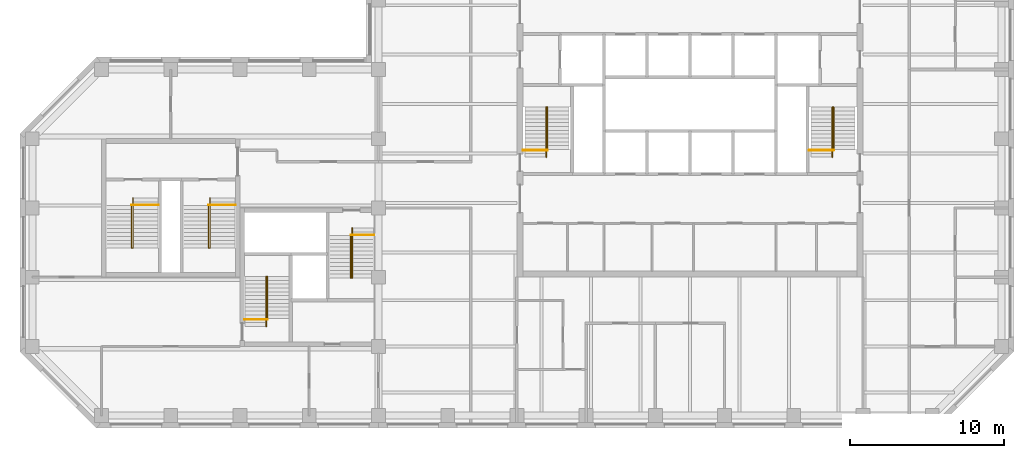
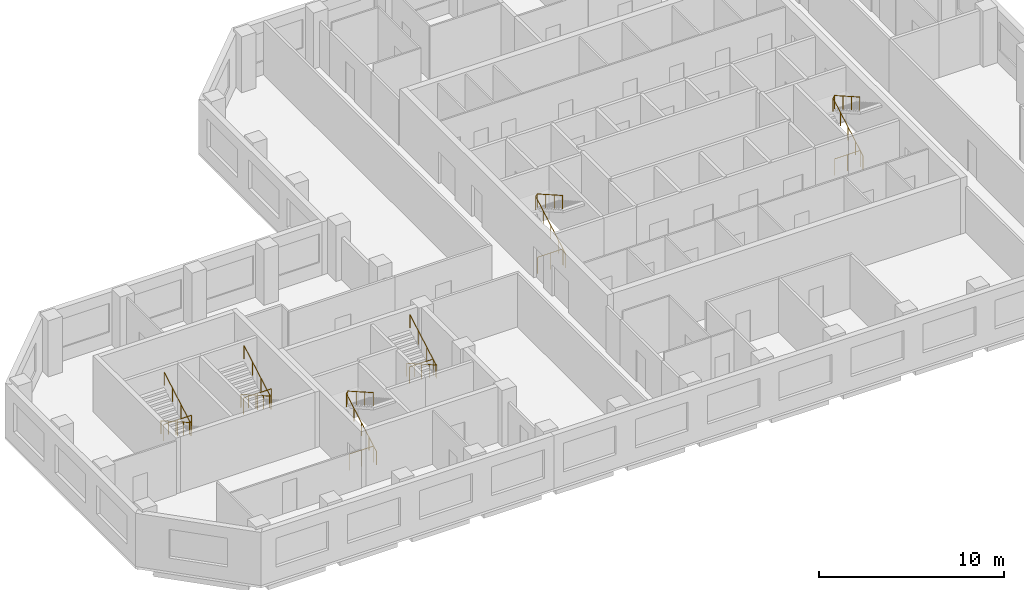
# One storey, part 9 of 9: 12 railings.
"""IFC4 building model written with IfcOpenShell, lengths in metres."""

from ifc_helpers import new_model, si_unit, direction, frame, origin, origin_2d, place, context, subcontext, project, spatial, circle, extrude, material, type_object, element, save


model = new_model("IFC4")

# Units and contexts
model_context = context("Model", 3, precision=1e-05, world=origin(), true_north=direction((0.0, 1.0)))
body_context = subcontext(model_context, "Body", "Model", "MODEL_VIEW")
ifc_project = project(units=[si_unit("LENGTHUNIT", "METRE"), si_unit("AREAUNIT", "SQUARE_METRE"), si_unit("VOLUMEUNIT", "CUBIC_METRE"), si_unit("PLANEANGLEUNIT", "RADIAN"), si_unit("MASSUNIT", "GRAM", prefix="KILO")], contexts=[model_context])

# Site, building, storey
site_placement = place(None, origin())
site = spatial("IfcSite", under=ifc_project, at=site_placement, CompositionType="ELEMENT")
building_placement = place(site_placement, origin())
building = spatial("IfcBuilding", under=site, at=building_placement, Name="Quoin Convention Tower", CompositionType="ELEMENT")
storey_placement = place(building_placement, frame((0.0, 0.0, 252.60009765625)))
storey = spatial("IfcBuildingStorey", under=building, at=storey_placement, Name="L66", CompositionType="ELEMENT", Elevation=252.60009765625)

# Railings
ifc_material = material(Name="Stainless steel", Category="steel")
railing_type_1 = type_object("IfcRailingType", Name="Stair handrail 900", PredefinedType="HANDRAIL", material=ifc_material)
railing_1_placement = place(storey_placement, frame((46.905029296875, 57.300048828125, 0.14208984375)))
element("IfcRailing", 1, at=railing_1_placement, inside=storey, type_object=railing_type_1, Name="SD1 handrail 1", PredefinedType="HANDRAIL", context=body_context, shape_type="SweptSolid", body=[
    extrude(circle(Radius=0.02392578125, at=origin_2d()), frame((0.0, 0.0, 0.8759765625), z_axis=(0.0, 0.869053504361, 0.494718108177), x_axis=(-1.0, 0.0, 0.0)), (0.0, 0.0, 1.0), 3.73974609375),
    extrude(circle(Radius=0.02392578125, at=origin_2d()), frame((0.0, 3.25, 2.72607421875), z_axis=(0.53481069233, 0.0, 0.844971906852), x_axis=(0.0, 1.0, 0.0)), (0.0, 0.0, 1.0), 0.16845703125),
    extrude(circle(Radius=0.02392578125, at=origin_2d()), frame((0.090087890625, 3.25, 2.8681640625), z_axis=(0.0, -0.869058607571, 0.494709143443), x_axis=(1.0, 0.0, 0.0)), (0.0, 0.0, 1.0), 3.164306640625),
    extrude(circle(Radius=0.02099609375, at=origin_2d()), origin(), (0.0, 0.0, 1.0), 0.851806640625),
    extrude(circle(Radius=0.02099609375, at=origin_2d()), frame((0.0, 0.8125, 0.46240234375)), (0.0, 0.0, 1.0), 0.851806640625),
    extrude(circle(Radius=0.02099609375, at=origin_2d()), frame((0.0, 1.625, 0.925048828125)), (0.0, 0.0, 1.0), 0.851806640625),
    extrude(circle(Radius=0.02099609375, at=origin_2d()), frame((0.0, 2.4375, 1.3876953125)), (0.0, 0.0, 1.0), 0.851806640625),
    extrude(circle(Radius=0.02099609375, at=origin_2d()), frame((0.0, 3.25, 1.85009765625)), (0.0, 0.0, 1.0), 0.851806640625),
    extrude(circle(Radius=0.02099609375, at=origin_2d()), frame((0.090087890625, 3.25, 1.992431640625)), (0.0, 0.0, 1.0), 0.851806640625),
    extrude(circle(Radius=0.02099609375, at=origin_2d()), frame((0.090087890625, 2.333251953125, 2.51416015625)), (0.0, 0.0, 1.0), 0.851806640625),
    extrude(circle(Radius=0.02099609375, at=origin_2d()), frame((0.090087890625, 1.416748046875, 3.0361328125)), (0.0, 0.0, 1.0), 0.851806640625),
    extrude(circle(Radius=0.02099609375, at=origin_2d()), frame((0.090087890625, 0.5, 3.557861328125)), (0.0, 0.0, 1.0), 0.851806640625),
])
railing_2_placement = place(storey_placement, frame((65.5048828125, 57.300048828125, 0.14208984375)))
element("IfcRailing", 2, at=railing_2_placement, inside=storey, type_object=railing_type_1, Name="SD2 handrail 1", PredefinedType="HANDRAIL", context=body_context, shape_type="SweptSolid", body=[
    extrude(circle(Radius=0.02392578125, at=origin_2d()), frame((0.0, 0.0, 0.8759765625), z_axis=(0.0, 0.869053504361, 0.494718108177), x_axis=(-1.0, 0.0, 0.0)), (0.0, 0.0, 1.0), 3.73974609375),
    extrude(circle(Radius=0.02392578125, at=origin_2d()), frame((0.0, 3.25, 2.72607421875), z_axis=(0.53481069233, 0.0, 0.844971906852), x_axis=(0.0, 1.0, 0.0)), (0.0, 0.0, 1.0), 0.16845703125),
    extrude(circle(Radius=0.02392578125, at=origin_2d()), frame((0.090087890625, 3.25, 2.8681640625), z_axis=(0.0, -0.869058607571, 0.494709143443), x_axis=(1.0, 0.0, 0.0)), (0.0, 0.0, 1.0), 3.164306640625),
    extrude(circle(Radius=0.02099609375, at=origin_2d()), origin(), (0.0, 0.0, 1.0), 0.851806640625),
    extrude(circle(Radius=0.02099609375, at=origin_2d()), frame((0.0, 0.8125, 0.46240234375)), (0.0, 0.0, 1.0), 0.851806640625),
    extrude(circle(Radius=0.02099609375, at=origin_2d()), frame((0.0, 1.625, 0.925048828125)), (0.0, 0.0, 1.0), 0.851806640625),
    extrude(circle(Radius=0.02099609375, at=origin_2d()), frame((0.0, 2.4375, 1.3876953125)), (0.0, 0.0, 1.0), 0.851806640625),
    extrude(circle(Radius=0.02099609375, at=origin_2d()), frame((0.0, 3.25, 1.85009765625)), (0.0, 0.0, 1.0), 0.851806640625),
    extrude(circle(Radius=0.02099609375, at=origin_2d()), frame((0.090087890625, 3.25, 1.992431640625)), (0.0, 0.0, 1.0), 0.851806640625),
    extrude(circle(Radius=0.02099609375, at=origin_2d()), frame((0.090087890625, 2.333251953125, 2.51416015625)), (0.0, 0.0, 1.0), 0.851806640625),
    extrude(circle(Radius=0.02099609375, at=origin_2d()), frame((0.090087890625, 1.416748046875, 3.0361328125)), (0.0, 0.0, 1.0), 0.851806640625),
    extrude(circle(Radius=0.02099609375, at=origin_2d()), frame((0.090087890625, 0.5, 3.557861328125)), (0.0, 0.0, 1.0), 0.851806640625),
])
railing_3_placement = place(storey_placement, frame((28.705078125, 46.300048828125, 0.14208984375)))
element("IfcRailing", 3, at=railing_3_placement, inside=storey, type_object=railing_type_1, Name="SD3 handrail 1", PredefinedType="HANDRAIL", context=body_context, shape_type="SweptSolid", body=[
    extrude(circle(Radius=0.02392578125, at=origin_2d()), frame((0.0, 0.0, 0.8759765625), z_axis=(0.0, 0.869053504361, 0.494718108177), x_axis=(-1.0, 0.0, 0.0)), (0.0, 0.0, 1.0), 3.73974609375),
    extrude(circle(Radius=0.02392578125, at=origin_2d()), frame((0.0, 3.25, 2.72607421875), z_axis=(0.533774684331, 0.0, 0.845626741753), x_axis=(0.0, 1.0, 0.0)), (0.0, 0.0, 1.0), 0.168212890625),
    extrude(circle(Radius=0.02392578125, at=origin_2d()), frame((0.08984375, 3.25, 2.8681640625), z_axis=(0.0, -0.869058607571, 0.494709143443), x_axis=(1.0, 0.0, 0.0)), (0.0, 0.0, 1.0), 3.164306640625),
    extrude(circle(Radius=0.02099609375, at=origin_2d()), origin(), (0.0, 0.0, 1.0), 0.851806640625),
    extrude(circle(Radius=0.02099609375, at=origin_2d()), frame((0.0, 0.8125, 0.46240234375)), (0.0, 0.0, 1.0), 0.851806640625),
    extrude(circle(Radius=0.02099609375, at=origin_2d()), frame((0.0, 1.625, 0.925048828125)), (0.0, 0.0, 1.0), 0.851806640625),
    extrude(circle(Radius=0.02099609375, at=origin_2d()), frame((0.0, 2.4375, 1.3876953125)), (0.0, 0.0, 1.0), 0.851806640625),
    extrude(circle(Radius=0.02099609375, at=origin_2d()), frame((0.0, 3.25, 1.85009765625)), (0.0, 0.0, 1.0), 0.851806640625),
    extrude(circle(Radius=0.02099609375, at=origin_2d()), frame((0.08984375, 3.25, 1.992431640625)), (0.0, 0.0, 1.0), 0.851806640625),
    extrude(circle(Radius=0.02099609375, at=origin_2d()), frame((0.08984375, 2.333251953125, 2.51416015625)), (0.0, 0.0, 1.0), 0.851806640625),
    extrude(circle(Radius=0.02099609375, at=origin_2d()), frame((0.08984375, 1.416748046875, 3.0361328125)), (0.0, 0.0, 1.0), 0.851806640625),
    extrude(circle(Radius=0.02099609375, at=origin_2d()), frame((0.08984375, 0.5, 3.557861328125)), (0.0, 0.0, 1.0), 0.851806640625),
])
railing_4_placement = place(storey_placement, frame((34.294921875, 52.699951171875, 0.14208984375)))
element("IfcRailing", 4, at=railing_4_placement, inside=storey, type_object=railing_type_1, Name="SD4 handrail 1", PredefinedType="HANDRAIL", context=body_context, shape_type="SweptSolid", body=[
    extrude(circle(Radius=0.02392578125, at=origin_2d()), frame((0.0, 0.0, 0.8759765625), z_axis=(0.0, -0.869053504361, 0.494718108177), x_axis=(1.0, 0.0, 0.0)), (0.0, 0.0, 1.0), 3.73974609375),
    extrude(circle(Radius=0.02392578125, at=origin_2d()), frame((0.0, -3.25, 2.72607421875), z_axis=(-0.533774684331, 0.0, 0.845626741753), x_axis=(0.0, -1.0, 0.0)), (0.0, 0.0, 1.0), 0.168212890625),
    extrude(circle(Radius=0.02392578125, at=origin_2d()), frame((-0.08984375, -3.25, 2.8681640625), z_axis=(0.0, 0.869058607571, 0.494709143443), x_axis=(-1.0, 0.0, 0.0)), (0.0, 0.0, 1.0), 3.164306640625),
    extrude(circle(Radius=0.02099609375, at=origin_2d()), origin(), (0.0, 0.0, 1.0), 0.851806640625),
    extrude(circle(Radius=0.02099609375, at=origin_2d()), frame((0.0, -0.8125, 0.46240234375)), (0.0, 0.0, 1.0), 0.851806640625),
    extrude(circle(Radius=0.02099609375, at=origin_2d()), frame((0.0, -1.625, 0.925048828125)), (0.0, 0.0, 1.0), 0.851806640625),
    extrude(circle(Radius=0.02099609375, at=origin_2d()), frame((0.0, -2.4375, 1.3876953125)), (0.0, 0.0, 1.0), 0.851806640625),
    extrude(circle(Radius=0.02099609375, at=origin_2d()), frame((0.0, -3.25, 1.85009765625)), (0.0, 0.0, 1.0), 0.851806640625),
    extrude(circle(Radius=0.02099609375, at=origin_2d()), frame((-0.08984375, -3.25, 1.992431640625)), (0.0, 0.0, 1.0), 0.851806640625),
    extrude(circle(Radius=0.02099609375, at=origin_2d()), frame((-0.08984375, -2.333251953125, 2.51416015625)), (0.0, 0.0, 1.0), 0.851806640625),
    extrude(circle(Radius=0.02099609375, at=origin_2d()), frame((-0.08984375, -1.416748046875, 3.0361328125)), (0.0, 0.0, 1.0), 0.851806640625),
    extrude(circle(Radius=0.02099609375, at=origin_2d()), frame((-0.08984375, -0.5, 3.557861328125)), (0.0, 0.0, 1.0), 0.851806640625),
])
railing_5_placement = place(storey_placement, frame((20.044921875, 54.64990234375, 0.14208984375)))
element("IfcRailing", 5, at=railing_5_placement, inside=storey, type_object=railing_type_1, Name="SD11 handrail 1", PredefinedType="HANDRAIL", context=body_context, shape_type="SweptSolid", body=[
    extrude(circle(Radius=0.02392578125, at=origin_2d()), frame((0.0, 0.0, 0.8759765625), z_axis=(0.0, -0.869053504361, 0.494718108177), x_axis=(1.0, 0.0, 0.0)), (0.0, 0.0, 1.0), 3.73974609375),
    extrude(circle(Radius=0.02392578125, at=origin_2d()), frame((0.0, -3.25, 2.72607421875), z_axis=(-0.533774684331, 0.0, 0.845626741753), x_axis=(0.0, -1.0, 0.0)), (0.0, 0.0, 1.0), 0.168212890625),
    extrude(circle(Radius=0.02392578125, at=origin_2d()), frame((-0.08984375, -3.25, 2.8681640625), z_axis=(0.0, 0.869058607571, 0.494709143443), x_axis=(-1.0, 0.0, 0.0)), (0.0, 0.0, 1.0), 3.164306640625),
    extrude(circle(Radius=0.02099609375, at=origin_2d()), origin(), (0.0, 0.0, 1.0), 0.851806640625),
    extrude(circle(Radius=0.02099609375, at=origin_2d()), frame((0.0, -0.8125, 0.46240234375)), (0.0, 0.0, 1.0), 0.851806640625),
    extrude(circle(Radius=0.02099609375, at=origin_2d()), frame((0.0, -1.625, 0.925048828125)), (0.0, 0.0, 1.0), 0.851806640625),
    extrude(circle(Radius=0.02099609375, at=origin_2d()), frame((0.0, -2.4375, 1.3876953125)), (0.0, 0.0, 1.0), 0.851806640625),
    extrude(circle(Radius=0.02099609375, at=origin_2d()), frame((0.0, -3.25, 1.85009765625)), (0.0, 0.0, 1.0), 0.851806640625),
    extrude(circle(Radius=0.02099609375, at=origin_2d()), frame((-0.08984375, -3.25, 1.992431640625)), (0.0, 0.0, 1.0), 0.851806640625),
    extrude(circle(Radius=0.02099609375, at=origin_2d()), frame((-0.08984375, -2.333251953125, 2.51416015625)), (0.0, 0.0, 1.0), 0.851806640625),
    extrude(circle(Radius=0.02099609375, at=origin_2d()), frame((-0.08984375, -1.416748046875, 3.0361328125)), (0.0, 0.0, 1.0), 0.851806640625),
    extrude(circle(Radius=0.02099609375, at=origin_2d()), frame((-0.08984375, -0.5, 3.557861328125)), (0.0, 0.0, 1.0), 0.851806640625),
])
railing_6_placement = place(storey_placement, frame((25.044921875, 54.64990234375, 0.14208984375)))
element("IfcRailing", 6, at=railing_6_placement, inside=storey, type_object=railing_type_1, Name="SD12 handrail 1", PredefinedType="HANDRAIL", context=body_context, shape_type="SweptSolid", body=[
    extrude(circle(Radius=0.02392578125, at=origin_2d()), frame((0.0, 0.0, 0.8759765625), z_axis=(0.0, -0.869053504361, 0.494718108177), x_axis=(1.0, 0.0, 0.0)), (0.0, 0.0, 1.0), 3.73974609375),
    extrude(circle(Radius=0.02392578125, at=origin_2d()), frame((0.0, -3.25, 2.72607421875), z_axis=(-0.533774684331, 0.0, 0.845626741753), x_axis=(0.0, -1.0, 0.0)), (0.0, 0.0, 1.0), 0.168212890625),
    extrude(circle(Radius=0.02392578125, at=origin_2d()), frame((-0.08984375, -3.25, 2.8681640625), z_axis=(0.0, 0.869058607571, 0.494709143443), x_axis=(-1.0, 0.0, 0.0)), (0.0, 0.0, 1.0), 3.164306640625),
    extrude(circle(Radius=0.02099609375, at=origin_2d()), origin(), (0.0, 0.0, 1.0), 0.851806640625),
    extrude(circle(Radius=0.02099609375, at=origin_2d()), frame((0.0, -0.8125, 0.46240234375)), (0.0, 0.0, 1.0), 0.851806640625),
    extrude(circle(Radius=0.02099609375, at=origin_2d()), frame((0.0, -1.625, 0.925048828125)), (0.0, 0.0, 1.0), 0.851806640625),
    extrude(circle(Radius=0.02099609375, at=origin_2d()), frame((0.0, -2.4375, 1.3876953125)), (0.0, 0.0, 1.0), 0.851806640625),
    extrude(circle(Radius=0.02099609375, at=origin_2d()), frame((0.0, -3.25, 1.85009765625)), (0.0, 0.0, 1.0), 0.851806640625),
    extrude(circle(Radius=0.02099609375, at=origin_2d()), frame((-0.08984375, -3.25, 1.992431640625)), (0.0, 0.0, 1.0), 0.851806640625),
    extrude(circle(Radius=0.02099609375, at=origin_2d()), frame((-0.08984375, -2.333251953125, 2.51416015625)), (0.0, 0.0, 1.0), 0.851806640625),
    extrude(circle(Radius=0.02099609375, at=origin_2d()), frame((-0.08984375, -1.416748046875, 3.0361328125)), (0.0, 0.0, 1.0), 0.851806640625),
    extrude(circle(Radius=0.02099609375, at=origin_2d()), frame((-0.08984375, -0.5, 3.557861328125)), (0.0, 0.0, 1.0), 0.851806640625),
])
railing_type_2 = type_object("IfcRailingType", Name="Stair top guard 1100", PredefinedType="GUARDRAIL", material=ifc_material)
railing_7_placement = place(storey_placement, frame((45.39990234375, 57.75, 0.0)))
element("IfcRailing", 7, at=railing_7_placement, inside=storey, type_object=railing_type_2, Name="SD1 top guard", PredefinedType="GUARDRAIL", context=body_context, shape_type="SweptSolid", body=[
    extrude(circle(Radius=0.02392578125, at=origin_2d()), frame((0.0, 0.0, 1.076171875), z_axis=(1.0, 0.0, 0.0), x_axis=(0.0, 1.0, 0.0)), (0.0, 0.0, 1.0), 1.59521484375),
    extrude(circle(Radius=0.02099609375, at=origin_2d()), origin(), (0.0, 0.0, 1.0), 1.052001953125),
    extrude(circle(Radius=0.02099609375, at=origin_2d()), frame((0.797607421875, 0.0, 0.0)), (0.0, 0.0, 1.0), 1.052001953125),
    extrude(circle(Radius=0.02099609375, at=origin_2d()), frame((1.59521484375, 0.0, 0.0)), (0.0, 0.0, 1.0), 1.052001953125),
])
railing_8_placement = place(storey_placement, frame((64.0, 57.75, 0.0)))
element("IfcRailing", 8, at=railing_8_placement, inside=storey, type_object=railing_type_2, Name="SD2 top guard", PredefinedType="GUARDRAIL", context=body_context, shape_type="SweptSolid", body=[
    extrude(circle(Radius=0.02392578125, at=origin_2d()), frame((0.0, 0.0, 1.076171875), z_axis=(1.0, 0.0, 0.0), x_axis=(0.0, 1.0, 0.0)), (0.0, 0.0, 1.0), 1.594970703125),
    extrude(circle(Radius=0.02099609375, at=origin_2d()), origin(), (0.0, 0.0, 1.0), 1.052001953125),
    extrude(circle(Radius=0.02099609375, at=origin_2d()), frame((0.79736328125, 0.0, 0.0)), (0.0, 0.0, 1.0), 1.052001953125),
    extrude(circle(Radius=0.02099609375, at=origin_2d()), frame((1.594970703125, 0.0, 0.0)), (0.0, 0.0, 1.0), 1.052001953125),
])
railing_9_placement = place(storey_placement, frame((27.300048828125, 46.75, 0.0)))
element("IfcRailing", 9, at=railing_9_placement, inside=storey, type_object=railing_type_2, Name="SD3 top guard", PredefinedType="GUARDRAIL", context=body_context, shape_type="SweptSolid", body=[
    extrude(circle(Radius=0.02392578125, at=origin_2d()), frame((0.0, 0.0, 1.076171875), z_axis=(1.0, 0.0, 0.0), x_axis=(0.0, 1.0, 0.0)), (0.0, 0.0, 1.0), 1.494873046875),
    extrude(circle(Radius=0.02099609375, at=origin_2d()), origin(), (0.0, 0.0, 1.0), 1.052001953125),
    extrude(circle(Radius=0.02099609375, at=origin_2d()), frame((0.74755859375, 0.0, 0.0)), (0.0, 0.0, 1.0), 1.052001953125),
    extrude(circle(Radius=0.02099609375, at=origin_2d()), frame((1.494873046875, 0.0, 0.0)), (0.0, 0.0, 1.0), 1.052001953125),
])
railing_10_placement = place(storey_placement, frame((35.699951171875, 52.25, 0.0)))
element("IfcRailing", 10, at=railing_10_placement, inside=storey, type_object=railing_type_2, Name="SD4 top guard", PredefinedType="GUARDRAIL", context=body_context, shape_type="SweptSolid", body=[
    extrude(circle(Radius=0.02392578125, at=origin_2d()), frame((0.0, 0.0, 1.076171875), z_axis=(-1.0, 0.0, 0.0), x_axis=(0.0, -1.0, 0.0)), (0.0, 0.0, 1.0), 1.494873046875),
    extrude(circle(Radius=0.02099609375, at=origin_2d()), origin(), (0.0, 0.0, 1.0), 1.052001953125),
    extrude(circle(Radius=0.02099609375, at=origin_2d()), frame((-0.74755859375, 0.0, 0.0)), (0.0, 0.0, 1.0), 1.052001953125),
    extrude(circle(Radius=0.02099609375, at=origin_2d()), frame((-1.494873046875, 0.0, 0.0)), (0.0, 0.0, 1.0), 1.052001953125),
])
for number, where, name in (
    (11, (21.699951171875, 54.199951171875, 0.0), "SD11 top guard"),
    (12, (26.699951171875, 54.199951171875, 0.0), "SD12 top guard"),
):
    element("IfcRailing", number, at=place(storey_placement, frame(where)), inside=storey, type_object=railing_type_2, Name=name, PredefinedType="GUARDRAIL", context=body_context, shape_type="SweptSolid", body=[
        extrude(circle(Radius=0.02392578125, at=origin_2d()), frame((0.0, 0.0, 1.076171875), z_axis=(-1.0, 0.0, 0.0), x_axis=(0.0, -1.0, 0.0)), (0.0, 0.0, 1.0), 1.744873046875),
        extrude(circle(Radius=0.02099609375, at=origin_2d()), origin(), (0.0, 0.0, 1.0), 1.052001953125),
        extrude(circle(Radius=0.02099609375, at=origin_2d()), frame((-0.87255859375, 0.0, 0.0)), (0.0, 0.0, 1.0), 1.052001953125),
        extrude(circle(Radius=0.02099609375, at=origin_2d()), frame((-1.744873046875, 0.0, 0.0)), (0.0, 0.0, 1.0), 1.052001953125),
    ])

save(model, "model.ifc")
